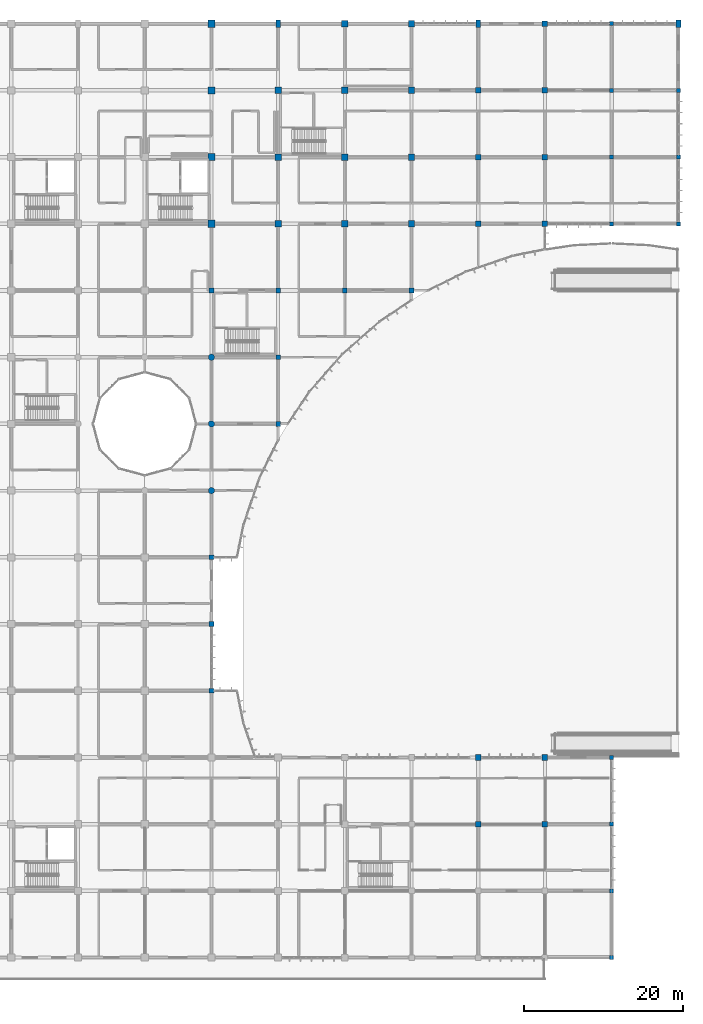
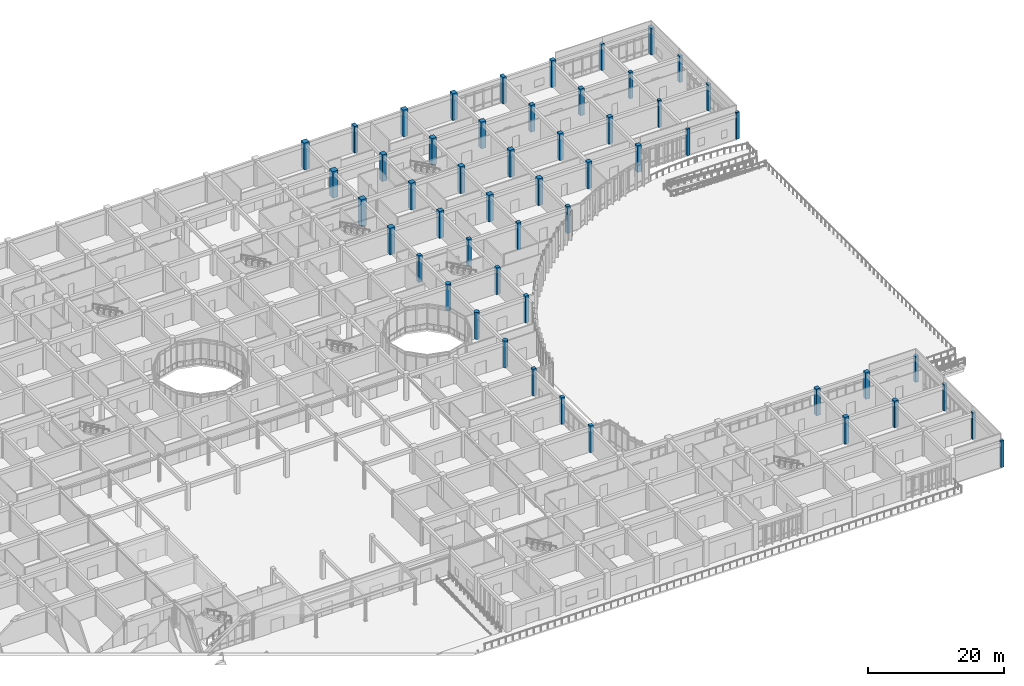
# One storey, part 9 of 138: 52 columns.
"""IFC4 building model written with IfcOpenShell, lengths in metres."""

from ifc_helpers import new_model, si_unit, direction, frame, origin, origin_2d, place, context, subcontext, project, spatial, rectangle, circle, extrude, material, material_profile, profile_set, type_object, element, save


model = new_model("IFC4")

# Units and contexts
model_context = context("Model", 3, precision=1e-05, world=origin(), true_north=direction((0.0, 1.0)))
body_context = subcontext(model_context, "Body", "Model", "MODEL_VIEW")
ifc_project = project(units=[si_unit("LENGTHUNIT", "METRE"), si_unit("AREAUNIT", "SQUARE_METRE"), si_unit("VOLUMEUNIT", "CUBIC_METRE"), si_unit("PLANEANGLEUNIT", "RADIAN"), si_unit("MASSUNIT", "GRAM", prefix="KILO")], contexts=[model_context])

# Site, building, storey
site_placement = place(None, origin())
site = spatial("IfcSite", under=ifc_project, at=site_placement, CompositionType="ELEMENT")
building_placement = place(site_placement, origin())
building = spatial("IfcBuilding", under=site, at=building_placement, Name="Bramfleet General Hospital", CompositionType="ELEMENT")
storey_placement = place(building_placement, origin())
storey = spatial("IfcBuildingStorey", under=building, at=storey_placement, Name="L00", CompositionType="ELEMENT", Elevation=0.0)

# Columns
ifc_material = material(Name="Concrete C40/50", Category="concrete")
ifc_material_profile_1 = material_profile(ifc_material, rectangle(XDim=0.60009765625, YDim=0.89990234375, at=origin_2d()), Name="RC PIL 900x600")
ifc_profile_set_1 = profile_set([ifc_material_profile_1], Name="Concrete C40/50")
column_type_1 = type_object("IfcColumnType", Name="COL-PIL900", PredefinedType="PILASTER", material=ifc_profile_set_1)
for number, where, z_axis, x_axis, name in (
    (1, (134.39990234375, 117.60009765625, 0.0), (0.0, 0.0, 1.0), (1.0, 0.0, 0.0), "Column COL-L00-16-14"),
    (2, (159.60009765625, 117.60009765625, 0.0), (0.0, 0.0, 1.0), (1.0, 0.0, 0.0), "Column COL-L00-19-14"),
    (3, (184.800048828125, 117.60009765625, 0.0), (0.0, 0.0, 1.0), (1.0, 0.0, 0.0), "Column COL-L00-22-14"),
):
    element("IfcColumn", number, at=place(storey_placement, frame(where, z_axis=z_axis, x_axis=x_axis)), inside=storey, type_object=column_type_1, Name=name, PredefinedType="PILASTER", context=body_context, shape_type="SweptSolid", body=[
        extrude(rectangle(XDim=0.60009765625, YDim=0.89990234375, at=origin_2d()), origin(), (0.0, 0.0, 1.0), 4.800048828125),
    ])
ifc_material_profile_2 = material_profile(ifc_material, rectangle(XDim=0.5, YDim=0.5, at=origin_2d()), Name="RC COL 500x500")
ifc_profile_set_2 = profile_set([ifc_material_profile_2], Name="Concrete C40/50")
column_type_2 = type_object("IfcColumnType", Name="COL-RC500", PredefinedType="COLUMN", material=ifc_profile_set_2)
for number, where, z_axis, x_axis, name in (
    (4, (176.39990234375, 0.0, 0.0), (0.0, 0.0, 1.0), (1.0, 0.0, 0.0), "Column COL-L00-21-00"),
    (5, (176.39990234375, 8.39990234375, 0.0), (0.0, 0.0, 1.0), (1.0, 0.0, 0.0), "Column COL-L00-21-01"),
    (6, (176.39990234375, 16.800048828125, 0.0), (0.0, 0.0, 1.0), (1.0, 0.0, 0.0), "Column COL-L00-21-02"),
    (7, (176.39990234375, 25.199951171875, 0.0), (0.0, 0.0, 1.0), (1.0, 0.0, 0.0), "Column COL-L00-21-03"),
    (8, (176.39990234375, 92.39990234375, 0.0), (0.0, 0.0, 1.0), (1.0, 0.0, 0.0), "Column COL-L00-21-11"),
    (9, (176.39990234375, 100.800048828125, 0.0), (0.0, 0.0, 1.0), (1.0, 0.0, 0.0), "Column COL-L00-21-12"),
    (10, (176.39990234375, 109.199951171875, 0.0), (0.0, 0.0, 1.0), (1.0, 0.0, 0.0), "Column COL-L00-21-13"),
    (11, (176.39990234375, 117.60009765625, 0.0), (0.0, 0.0, 1.0), (1.0, 0.0, 0.0), "Column COL-L00-21-14"),
    (12, (184.800048828125, 92.39990234375, 0.0), (0.0, 0.0, 1.0), (1.0, 0.0, 0.0), "Column COL-L00-22-11"),
    (13, (184.800048828125, 100.800048828125, 0.0), (0.0, 0.0, 1.0), (1.0, 0.0, 0.0), "Column COL-L00-22-12"),
    (14, (184.800048828125, 109.199951171875, 0.0), (0.0, 0.0, 1.0), (1.0, 0.0, 0.0), "Column COL-L00-22-13"),
):
    element("IfcColumn", number, at=place(storey_placement, frame(where, z_axis=z_axis, x_axis=x_axis)), inside=storey, type_object=column_type_2, Name=name, PredefinedType="COLUMN", context=body_context, shape_type="SweptSolid", body=[
        extrude(rectangle(XDim=0.5, YDim=0.5, at=origin_2d()), origin(), (0.0, 0.0, 1.0), 4.800048828125),
    ])
ifc_material_profile_3 = material_profile(ifc_material, rectangle(XDim=0.60009765625, YDim=0.60009765625, at=origin_2d()), Name="RC COL 600x600")
ifc_profile_set_3 = profile_set([ifc_material_profile_3], Name="Concrete C40/50")
column_type_3 = type_object("IfcColumnType", Name="COL-RC600", PredefinedType="COLUMN", material=ifc_profile_set_3)
for number, where, z_axis, x_axis, name in (
    (15, (126.0, 33.60009765625, 0.0), (0.0, 0.0, 1.0), (1.0, 0.0, 0.0), "Column COL-L00-15-04"),
    (16, (126.0, 42.0, 0.0), (0.0, 0.0, 1.0), (1.0, 0.0, 0.0), "Column COL-L00-15-05"),
    (17, (126.0, 50.39990234375, 0.0), (0.0, 0.0, 1.0), (1.0, 0.0, 0.0), "Column COL-L00-15-06"),
    (18, (126.0, 84.0, 0.0), (0.0, 0.0, 1.0), (1.0, 0.0, 0.0), "Column COL-L00-15-10"),
    (19, (134.39990234375, 67.199951171875, 0.0), (0.0, 0.0, 1.0), (1.0, 0.0, 0.0), "Column COL-L00-16-08"),
    (20, (134.39990234375, 75.60009765625, 0.0), (0.0, 0.0, 1.0), (1.0, 0.0, 0.0), "Column COL-L00-16-09"),
    (21, (134.39990234375, 84.0, 0.0), (0.0, 0.0, 1.0), (1.0, 0.0, 0.0), "Column COL-L00-16-10"),
    (22, (142.800048828125, 84.0, 0.0), (0.0, 0.0, 1.0), (1.0, 0.0, 0.0), "Column COL-L00-17-10"),
    (23, (151.199951171875, 84.0, 0.0), (0.0, 0.0, 1.0), (1.0, 0.0, 0.0), "Column COL-L00-18-10"),
):
    element("IfcColumn", number, at=place(storey_placement, frame(where, z_axis=z_axis, x_axis=x_axis)), inside=storey, type_object=column_type_3, Name=name, PredefinedType="COLUMN", context=body_context, shape_type="SweptSolid", body=[
        extrude(rectangle(XDim=0.60009765625, YDim=0.60009765625, at=origin_2d()), origin(), (0.0, 0.0, 1.0), 4.800048828125),
    ])
ifc_material_profile_4 = material_profile(ifc_material, rectangle(XDim=0.699951171875, YDim=0.699951171875, at=origin_2d()), Name="RC COL 700x700")
ifc_profile_set_4 = profile_set([ifc_material_profile_4], Name="Concrete C40/50")
column_type_4 = type_object("IfcColumnType", Name="COL-RC700", PredefinedType="COLUMN", material=ifc_profile_set_4)
for number, where, z_axis, x_axis, name in (
    (24, (159.60009765625, 16.800048828125, 0.0), (0.0, 0.0, 1.0), (1.0, 0.0, 0.0), "Column COL-L00-19-02"),
    (25, (159.60009765625, 25.199951171875, 0.0), (0.0, 0.0, 1.0), (1.0, 0.0, 0.0), "Column COL-L00-19-03"),
    (26, (159.60009765625, 92.39990234375, 0.0), (0.0, 0.0, 1.0), (1.0, 0.0, 0.0), "Column COL-L00-19-11"),
    (27, (159.60009765625, 100.800048828125, 0.0), (0.0, 0.0, 1.0), (1.0, 0.0, 0.0), "Column COL-L00-19-12"),
    (28, (159.60009765625, 109.199951171875, 0.0), (0.0, 0.0, 1.0), (1.0, 0.0, 0.0), "Column COL-L00-19-13"),
    (29, (168.0, 16.800048828125, 0.0), (0.0, 0.0, 1.0), (1.0, 0.0, 0.0), "Column COL-L00-20-02"),
    (30, (168.0, 25.199951171875, 0.0), (0.0, 0.0, 1.0), (1.0, 0.0, 0.0), "Column COL-L00-20-03"),
    (31, (168.0, 92.39990234375, 0.0), (0.0, 0.0, 1.0), (1.0, 0.0, 0.0), "Column COL-L00-20-11"),
    (32, (168.0, 100.800048828125, 0.0), (0.0, 0.0, 1.0), (1.0, 0.0, 0.0), "Column COL-L00-20-12"),
    (33, (168.0, 109.199951171875, 0.0), (0.0, 0.0, 1.0), (1.0, 0.0, 0.0), "Column COL-L00-20-13"),
    (34, (168.0, 117.60009765625, 0.0), (0.0, 0.0, 1.0), (1.0, 0.0, 0.0), "Column COL-L00-20-14"),
):
    element("IfcColumn", number, at=place(storey_placement, frame(where, z_axis=z_axis, x_axis=x_axis)), inside=storey, type_object=column_type_4, Name=name, PredefinedType="COLUMN", context=body_context, shape_type="SweptSolid", body=[
        extrude(rectangle(XDim=0.699951171875, YDim=0.699951171875, at=origin_2d()), origin(), (0.0, 0.0, 1.0), 4.800048828125),
    ])
ifc_material_profile_5 = material_profile(ifc_material, rectangle(XDim=0.800048828125, YDim=0.800048828125, at=origin_2d()), Name="RC COL 800x800")
ifc_profile_set_5 = profile_set([ifc_material_profile_5], Name="Concrete C40/50")
column_type_5 = type_object("IfcColumnType", Name="COL-RC800", PredefinedType="COLUMN", material=ifc_profile_set_5)
for number, where, z_axis, x_axis, name in (
    (35, (134.39990234375, 92.39990234375, 0.0), (0.0, 0.0, 1.0), (1.0, 0.0, 0.0), "Column COL-L00-16-11"),
    (36, (134.39990234375, 100.800048828125, 0.0), (0.0, 0.0, 1.0), (1.0, 0.0, 0.0), "Column COL-L00-16-12"),
    (37, (134.39990234375, 109.199951171875, 0.0), (0.0, 0.0, 1.0), (1.0, 0.0, 0.0), "Column COL-L00-16-13"),
    (38, (142.800048828125, 92.39990234375, 0.0), (0.0, 0.0, 1.0), (1.0, 0.0, 0.0), "Column COL-L00-17-11"),
    (39, (142.800048828125, 100.800048828125, 0.0), (0.0, 0.0, 1.0), (1.0, 0.0, 0.0), "Column COL-L00-17-12"),
    (40, (142.800048828125, 109.199951171875, 0.0), (0.0, 0.0, 1.0), (1.0, 0.0, 0.0), "Column COL-L00-17-13"),
    (41, (142.800048828125, 117.60009765625, 0.0), (0.0, 0.0, 1.0), (1.0, 0.0, 0.0), "Column COL-L00-17-14"),
    (42, (151.199951171875, 92.39990234375, 0.0), (0.0, 0.0, 1.0), (1.0, 0.0, 0.0), "Column COL-L00-18-11"),
    (43, (151.199951171875, 100.800048828125, 0.0), (0.0, 0.0, 1.0), (1.0, 0.0, 0.0), "Column COL-L00-18-12"),
    (44, (151.199951171875, 109.199951171875, 0.0), (0.0, 0.0, 1.0), (1.0, 0.0, 0.0), "Column COL-L00-18-13"),
    (45, (151.199951171875, 117.60009765625, 0.0), (0.0, 0.0, 1.0), (1.0, 0.0, 0.0), "Column COL-L00-18-14"),
):
    element("IfcColumn", number, at=place(storey_placement, frame(where, z_axis=z_axis, x_axis=x_axis)), inside=storey, type_object=column_type_5, Name=name, PredefinedType="COLUMN", context=body_context, shape_type="SweptSolid", body=[
        extrude(rectangle(XDim=0.800048828125, YDim=0.800048828125, at=origin_2d()), origin(), (0.0, 0.0, 1.0), 4.800048828125),
    ])
ifc_material_profile_6 = material_profile(ifc_material, rectangle(XDim=0.89990234375, YDim=0.89990234375, at=origin_2d()), Name="RC COL 900x900")
ifc_profile_set_6 = profile_set([ifc_material_profile_6], Name="Concrete C40/50")
column_type_6 = type_object("IfcColumnType", Name="COL-RC900", PredefinedType="COLUMN", material=ifc_profile_set_6)
for number, where, z_axis, x_axis, name in (
    (46, (126.0, 92.39990234375, 0.0), (0.0, 0.0, 1.0), (1.0, 0.0, 0.0), "Column COL-L00-15-11"),
    (47, (126.0, 100.800048828125, 0.0), (0.0, 0.0, 1.0), (1.0, 0.0, 0.0), "Column COL-L00-15-12"),
    (48, (126.0, 109.199951171875, 0.0), (0.0, 0.0, 1.0), (1.0, 0.0, 0.0), "Column COL-L00-15-13"),
    (49, (126.0, 117.60009765625, 0.0), (0.0, 0.0, 1.0), (1.0, 0.0, 0.0), "Column COL-L00-15-14"),
):
    element("IfcColumn", number, at=place(storey_placement, frame(where, z_axis=z_axis, x_axis=x_axis)), inside=storey, type_object=column_type_6, Name=name, PredefinedType="COLUMN", context=body_context, shape_type="SweptSolid", body=[
        extrude(rectangle(XDim=0.89990234375, YDim=0.89990234375, at=origin_2d()), origin(), (0.0, 0.0, 1.0), 4.800048828125),
    ])
ifc_material_profile_7 = material_profile(ifc_material, circle(Radius=0.39990234375, at=origin_2d()), Name="RC ROUND D800")
ifc_profile_set_7 = profile_set([ifc_material_profile_7], Name="Concrete C40/50")
column_type_7 = type_object("IfcColumnType", Name="COL-RCD800", PredefinedType="COLUMN", material=ifc_profile_set_7)
for number, where, z_axis, x_axis, name in (
    (50, (126.0, 58.800048828125, 0.0), (0.0, 0.0, 1.0), (1.0, 0.0, 0.0), "Column COL-L00-15-07"),
    (51, (126.0, 67.199951171875, 0.0), (0.0, 0.0, 1.0), (1.0, 0.0, 0.0), "Column COL-L00-15-08"),
    (52, (126.0, 75.60009765625, 0.0), (0.0, 0.0, 1.0), (1.0, 0.0, 0.0), "Column COL-L00-15-09"),
):
    element("IfcColumn", number, at=place(storey_placement, frame(where, z_axis=z_axis, x_axis=x_axis)), inside=storey, type_object=column_type_7, Name=name, PredefinedType="COLUMN", context=body_context, shape_type="SweptSolid", body=[
        extrude(circle(Radius=0.39990234375, at=origin_2d()), origin(), (0.0, 0.0, 1.0), 4.800048828125),
    ])

save(model, "model.ifc")
